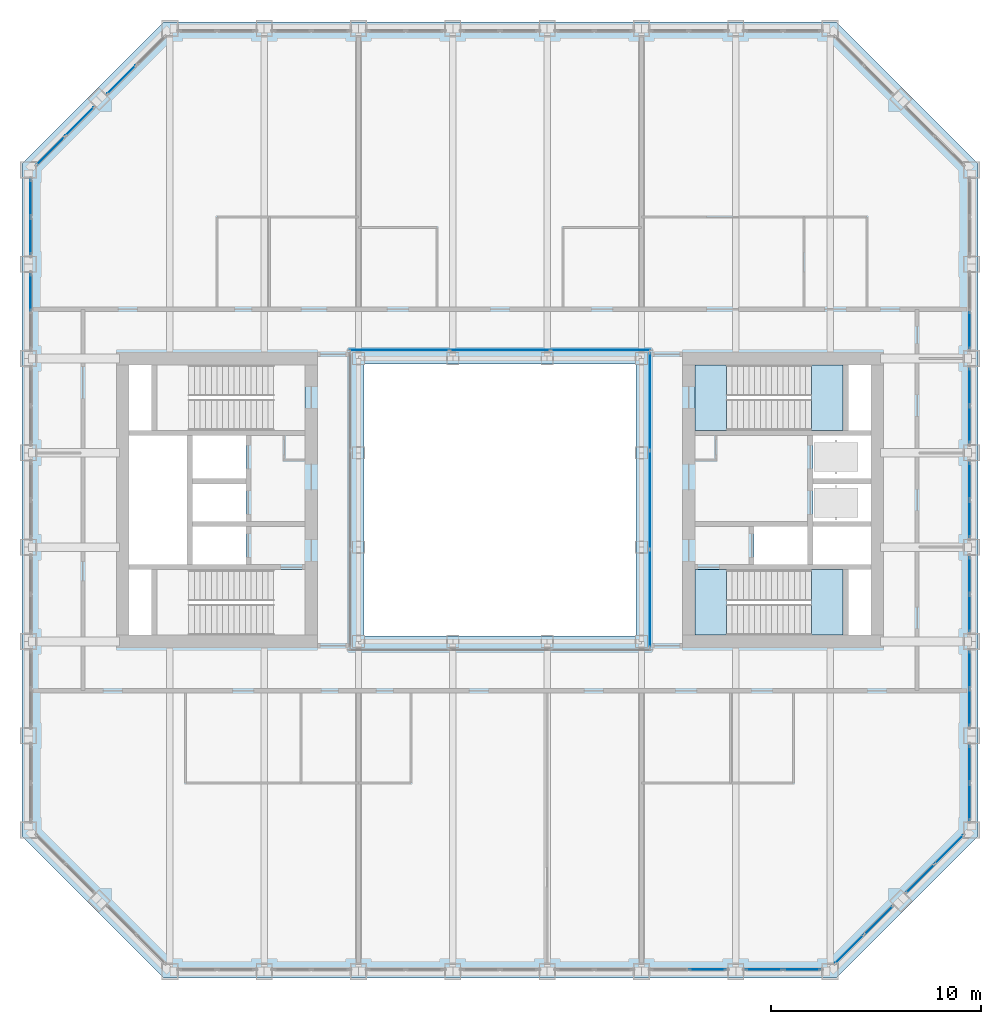
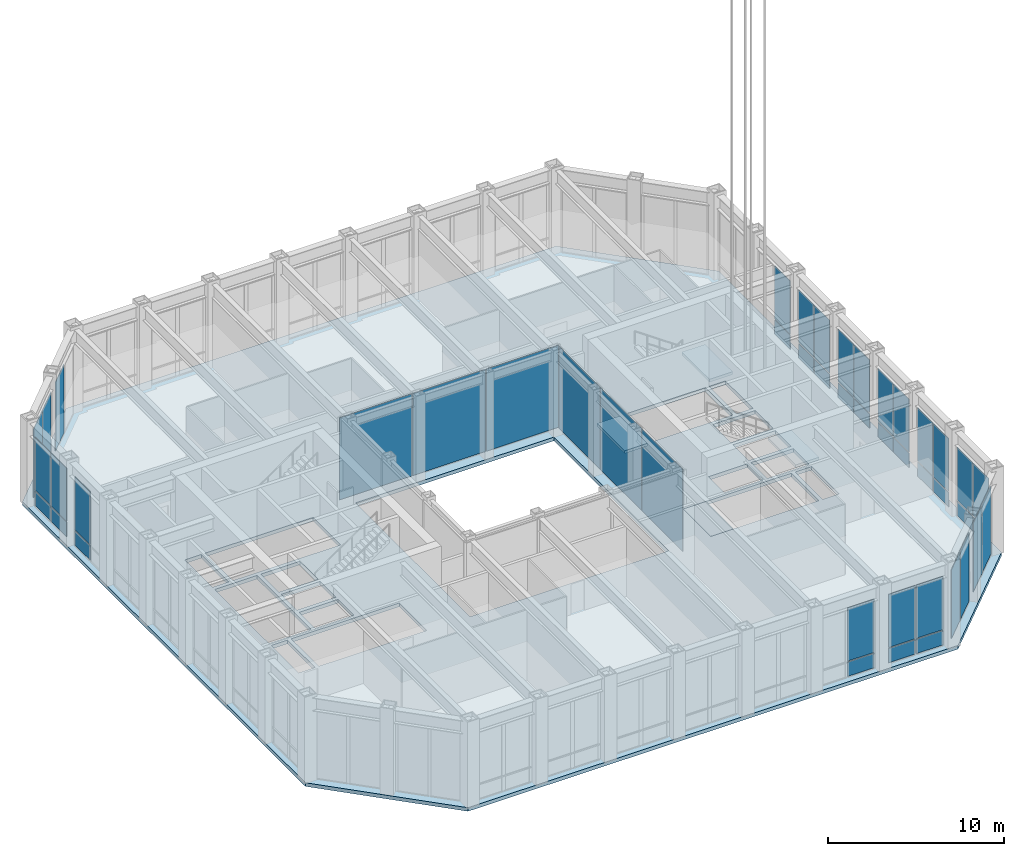
# One storey, part 11 of 22: 47 plates, 5 slabs, 18 elements without a shape of their own.
"""IFC4 building model written with IfcOpenShell, lengths in metres."""

from ifc_helpers import new_model, si_unit, direction, frame, origin, origin_2d, place, context, subcontext, project, spatial, polyline, rectangle, outline, extrude, material, layer, layer_set, type_object, element, aggregate, save


model = new_model("IFC4")

# Units and contexts
model_context = context("Model", 3, precision=1e-05, world=origin(), true_north=direction((0.0, 1.0)))
body_context = subcontext(model_context, "Body", "Model", "MODEL_VIEW")
ifc_project = project(units=[si_unit("LENGTHUNIT", "METRE"), si_unit("AREAUNIT", "SQUARE_METRE"), si_unit("VOLUMEUNIT", "CUBIC_METRE"), si_unit("PLANEANGLEUNIT", "RADIAN"), si_unit("MASSUNIT", "GRAM", prefix="KILO")], contexts=[model_context])

# Site, building, storey
site_placement = place(None, origin())
site = spatial("IfcSite", under=ifc_project, at=site_placement, CompositionType="ELEMENT")
building_placement = place(site_placement, origin())
building = spatial("IfcBuilding", under=site, at=building_placement, Name="Msasa Ring Tower", CompositionType="ELEMENT")
storey_placement = place(building_placement, frame((0.0, 0.0, 112.39990234375)))
storey = spatial("IfcBuildingStorey", under=building, at=storey_placement, Name="L29", CompositionType="ELEMENT", Elevation=112.39990234375)

# Curtain wall, plates
ifc_material_1 = material(Name="Aluminium curtain wall with clear glass", Category="aluminium")
curtain_wall_type_1 = type_object("IfcCurtainWallType", Name="CW-C CHAMFER CORNER CURTAIN WALL", PredefinedType="NOTDEFINED", material=ifc_material_1)
curtain_wall_1_placement = place(storey_placement, origin())
curtain_wall_1 = element("IfcCurtainWall", 1, at=curtain_wall_1_placement, inside=storey, type_object=curtain_wall_type_1, Name="Chamfer corner curtain wall SE L29", PredefinedType="NOTDEFINED")
ifc_material_2 = material(Name="Clear laminated insulating glass unit", Category="glass")
ifc_layer_1 = layer(ifc_material_2, 0.031982421875)
ifc_layer_set_1 = layer_set([ifc_layer_1], Name="CW-C GLASS PANEL 32")
plate_type_1 = type_object("IfcPlateType", Name="CW-C GLASS PANEL 32", PredefinedType="CURTAIN_PANEL", material=ifc_layer_set_1)
plate_1_placement = place(storey_placement, frame((16.677734375, -21.430908203125, 0.065185546875), z_axis=(0.0, 0.0, 1.0), x_axis=(0.707106781187, 0.707106781187, 0.0)))
plate_1 = element("IfcPlate", 2, at=plate_1_placement, type_object=plate_type_1, Name="CW-C panel 1.1", PredefinedType="CURTAIN_PANEL", context=body_context, shape_type="SweptSolid", body=[
    extrude(rectangle(XDim=1.884033203125, YDim=0.031982421875, at=origin_2d()), origin(), (0.0, 0.0, 1.0), 4.7490234375),
])
plate_2_placement = place(storey_placement, frame((18.055908203125, -20.052734375, 0.065185546875), z_axis=(0.0, 0.0, 1.0), x_axis=(0.707106781187, 0.707106781187, 0.0)))
plate_2 = element("IfcPlate", 3, at=plate_2_placement, type_object=plate_type_1, Name="CW-C panel 2.1", PredefinedType="CURTAIN_PANEL", context=body_context, shape_type="SweptSolid", body=[
    extrude(rectangle(XDim=1.884033203125, YDim=0.031982421875, at=origin_2d()), origin(), (0.0, 0.0, 1.0), 4.7490234375),
])
aggregate(curtain_wall_1, [plate_1, plate_2])

curtain_wall_2_placement = place(storey_placement, origin())
curtain_wall_2 = element("IfcCurtainWall", 4, at=curtain_wall_2_placement, inside=storey, type_object=curtain_wall_type_1, Name="Chamfer corner curtain wall SE L29", PredefinedType="NOTDEFINED")
plate_3_placement = place(storey_placement, frame((20.052734375, -18.055908203125, 0.065185546875), z_axis=(0.0, 0.0, 1.0), x_axis=(0.707106781187, 0.707106781187, 0.0)))
plate_3 = element("IfcPlate", 5, at=plate_3_placement, type_object=plate_type_1, Name="CW-C panel 1.1", PredefinedType="CURTAIN_PANEL", context=body_context, shape_type="SweptSolid", body=[
    extrude(rectangle(XDim=1.884033203125, YDim=0.031982421875, at=origin_2d()), origin(), (0.0, 0.0, 1.0), 4.7490234375),
])
plate_4_placement = place(storey_placement, frame((21.430908203125, -16.677734375, 0.065185546875), z_axis=(0.0, 0.0, 1.0), x_axis=(0.707106781187, 0.707106781187, 0.0)))
plate_4 = element("IfcPlate", 6, at=plate_4_placement, type_object=plate_type_1, Name="CW-C panel 2.1", PredefinedType="CURTAIN_PANEL", context=body_context, shape_type="SweptSolid", body=[
    extrude(rectangle(XDim=1.884033203125, YDim=0.031982421875, at=origin_2d()), origin(), (0.0, 0.0, 1.0), 4.7490234375),
])
aggregate(curtain_wall_2, [plate_3, plate_4])

curtain_wall_3_placement = place(storey_placement, origin())
curtain_wall_3 = element("IfcCurtainWall", 7, at=curtain_wall_3_placement, inside=storey, type_object=curtain_wall_type_1, Name="Chamfer corner curtain wall NW L29", PredefinedType="NOTDEFINED")
plate_5_placement = place(storey_placement, frame((-20.052734375, 18.055908203125, 0.065185546875), z_axis=(0.0, 0.0, 1.0), x_axis=(-0.707106781187, -0.707106781187, 0.0)))
plate_5 = element("IfcPlate", 8, at=plate_5_placement, type_object=plate_type_1, Name="CW-C panel 1.1", PredefinedType="CURTAIN_PANEL", context=body_context, shape_type="SweptSolid", body=[
    extrude(rectangle(XDim=1.884033203125, YDim=0.031982421875, at=origin_2d()), origin(), (0.0, 0.0, 1.0), 4.7490234375),
])
plate_6_placement = place(storey_placement, frame((-21.430908203125, 16.677734375, 0.065185546875), z_axis=(0.0, 0.0, 1.0), x_axis=(-0.707106781187, -0.707106781187, 0.0)))
plate_6 = element("IfcPlate", 9, at=plate_6_placement, type_object=plate_type_1, Name="CW-C panel 2.1", PredefinedType="CURTAIN_PANEL", context=body_context, shape_type="SweptSolid", body=[
    extrude(rectangle(XDim=1.884033203125, YDim=0.031982421875, at=origin_2d()), origin(), (0.0, 0.0, 1.0), 4.7490234375),
])
aggregate(curtain_wall_3, [plate_5, plate_6])

# Curtain wall, plate
curtain_wall_4_placement = place(storey_placement, origin())
curtain_wall_4 = element("IfcCurtainWall", 10, at=curtain_wall_4_placement, inside=storey, type_object=curtain_wall_type_1, Name="Chamfer corner curtain wall NW L29", PredefinedType="NOTDEFINED")
plate_7_placement = place(storey_placement, frame((-18.055908203125, 20.052734375, 0.065185546875), z_axis=(0.0, 0.0, 1.0), x_axis=(-0.707106781187, -0.707106781187, 0.0)))
plate_7 = element("IfcPlate", 11, at=plate_7_placement, type_object=plate_type_1, Name="CW-C panel 2.1", PredefinedType="CURTAIN_PANEL", context=body_context, shape_type="SweptSolid", body=[
    extrude(rectangle(XDim=1.884033203125, YDim=0.031982421875, at=origin_2d()), origin(), (0.0, 0.0, 1.0), 4.7490234375),
])
aggregate(curtain_wall_4, [plate_7])

# Curtain wall, plates
ifc_material_3 = material(Name="Aluminium curtain wall with clear glass", Category="aluminium")
curtain_wall_type_2 = type_object("IfcCurtainWallType", Name="CW-S SKY LOBBY CURTAIN WALL", PredefinedType="NOTDEFINED", material=ifc_material_3)
curtain_wall_5_placement = place(storey_placement, origin())
curtain_wall_5 = element("IfcCurtainWall", 12, at=curtain_wall_5_placement, inside=storey, type_object=curtain_wall_type_2, Name="Sky lobby curtain wall S L29", PredefinedType="NOTDEFINED")
ifc_material_4 = material(Name="Clear laminated insulating glass unit", Category="glass")
ifc_layer_2 = layer(ifc_material_4, 0.035888671875)
ifc_layer_set_2 = layer_set([ifc_layer_2], Name="CW-S GLASS PANEL 36")
plate_type_2 = type_object("IfcPlateType", Name="CW-S GLASS PANEL 36", PredefinedType="CURTAIN_PANEL", material=ifc_layer_set_2)
plate_8_placement = place(storey_placement, frame((9.90380859375, -22.39990234375, 0.0751953125), z_axis=(0.0, 0.0, 1.0), x_axis=(1.0, 0.0, 0.0)))
plate_8 = element("IfcPlate", 13, at=plate_8_placement, type_object=plate_type_2, Name="CW-S panel 2.1", PredefinedType="CURTAIN_PANEL", context=body_context, shape_type="SweptSolid", body=[
    extrude(rectangle(XDim=1.732421875, YDim=0.035888671875, at=origin_2d()), origin(), (0.0, 0.0, 1.0), 0.987548828125),
])
plate_9_placement = place(storey_placement, frame((9.90380859375, -22.39990234375, 1.1376953125), z_axis=(0.0, 0.0, 1.0), x_axis=(1.0, 0.0, 0.0)))
plate_9 = element("IfcPlate", 14, at=plate_9_placement, type_object=plate_type_2, Name="CW-S panel 2.2", PredefinedType="CURTAIN_PANEL", context=body_context, shape_type="SweptSolid", body=[
    extrude(rectangle(XDim=1.732421875, YDim=0.035888671875, at=origin_2d()), origin(), (0.0, 0.0, 1.0), 3.66650390625),
])
aggregate(curtain_wall_5, [plate_8, plate_9])

curtain_wall_6_placement = place(storey_placement, origin())
curtain_wall_6 = element("IfcCurtainWall", 15, at=curtain_wall_6_placement, inside=storey, type_object=curtain_wall_type_2, Name="Sky lobby curtain wall S L29", PredefinedType="NOTDEFINED")
plate_10_placement = place(storey_placement, frame((12.59619140625, -22.39990234375, 0.0751953125), z_axis=(0.0, 0.0, 1.0), x_axis=(1.0, 0.0, 0.0)))
plate_10 = element("IfcPlate", 16, at=plate_10_placement, type_object=plate_type_2, Name="CW-S panel 1.1", PredefinedType="CURTAIN_PANEL", context=body_context, shape_type="SweptSolid", body=[
    extrude(rectangle(XDim=1.732421875, YDim=0.035888671875, at=origin_2d()), origin(), (0.0, 0.0, 1.0), 0.987548828125),
])
plate_11_placement = place(storey_placement, frame((12.59619140625, -22.39990234375, 1.1376953125), z_axis=(0.0, 0.0, 1.0), x_axis=(1.0, 0.0, 0.0)))
plate_11 = element("IfcPlate", 17, at=plate_11_placement, type_object=plate_type_2, Name="CW-S panel 1.2", PredefinedType="CURTAIN_PANEL", context=body_context, shape_type="SweptSolid", body=[
    extrude(rectangle(XDim=1.732421875, YDim=0.035888671875, at=origin_2d()), origin(), (0.0, 0.0, 1.0), 3.66650390625),
])
plate_12_placement = place(storey_placement, frame((14.40380859375, -22.39990234375, 0.0751953125), z_axis=(0.0, 0.0, 1.0), x_axis=(1.0, 0.0, 0.0)))
plate_12 = element("IfcPlate", 18, at=plate_12_placement, type_object=plate_type_2, Name="CW-S panel 2.1", PredefinedType="CURTAIN_PANEL", context=body_context, shape_type="SweptSolid", body=[
    extrude(rectangle(XDim=1.732421875, YDim=0.035888671875, at=origin_2d()), origin(), (0.0, 0.0, 1.0), 0.987548828125),
])
plate_13_placement = place(storey_placement, frame((14.40380859375, -22.39990234375, 1.1376953125), z_axis=(0.0, 0.0, 1.0), x_axis=(1.0, 0.0, 0.0)))
plate_13 = element("IfcPlate", 19, at=plate_13_placement, type_object=plate_type_2, Name="CW-S panel 2.2", PredefinedType="CURTAIN_PANEL", context=body_context, shape_type="SweptSolid", body=[
    extrude(rectangle(XDim=1.732421875, YDim=0.035888671875, at=origin_2d()), origin(), (0.0, 0.0, 1.0), 3.66650390625),
])
aggregate(curtain_wall_6, [plate_10, plate_11, plate_12, plate_13])

curtain_wall_7_placement = place(storey_placement, origin())
curtain_wall_7 = element("IfcCurtainWall", 20, at=curtain_wall_7_placement, inside=storey, type_object=curtain_wall_type_2, Name="Sky lobby curtain wall E L29", PredefinedType="NOTDEFINED")
plate_14_placement = place(storey_placement, frame((22.39990234375, -14.40380859375, 0.0751953125), z_axis=(0.0, 0.0, 1.0), x_axis=(0.0, 1.0, 0.0)))
plate_14 = element("IfcPlate", 21, at=plate_14_placement, type_object=plate_type_2, Name="CW-S panel 1.1", PredefinedType="CURTAIN_PANEL", context=body_context, shape_type="SweptSolid", body=[
    extrude(rectangle(XDim=1.732421875, YDim=0.035888671875, at=origin_2d()), origin(), (0.0, 0.0, 1.0), 0.987548828125),
])
plate_15_placement = place(storey_placement, frame((22.39990234375, -14.40380859375, 1.1376953125), z_axis=(0.0, 0.0, 1.0), x_axis=(0.0, 1.0, 0.0)))
plate_15 = element("IfcPlate", 22, at=plate_15_placement, type_object=plate_type_2, Name="CW-S panel 1.2", PredefinedType="CURTAIN_PANEL", context=body_context, shape_type="SweptSolid", body=[
    extrude(rectangle(XDim=1.732421875, YDim=0.035888671875, at=origin_2d()), origin(), (0.0, 0.0, 1.0), 3.66650390625),
])
plate_16_placement = place(storey_placement, frame((22.39990234375, -12.59619140625, 0.0751953125), z_axis=(0.0, 0.0, 1.0), x_axis=(0.0, 1.0, 0.0)))
plate_16 = element("IfcPlate", 23, at=plate_16_placement, type_object=plate_type_2, Name="CW-S panel 2.1", PredefinedType="CURTAIN_PANEL", context=body_context, shape_type="SweptSolid", body=[
    extrude(rectangle(XDim=1.732421875, YDim=0.035888671875, at=origin_2d()), origin(), (0.0, 0.0, 1.0), 0.987548828125),
])
plate_17_placement = place(storey_placement, frame((22.39990234375, -12.59619140625, 1.1376953125), z_axis=(0.0, 0.0, 1.0), x_axis=(0.0, 1.0, 0.0)))
plate_17 = element("IfcPlate", 24, at=plate_17_placement, type_object=plate_type_2, Name="CW-S panel 2.2", PredefinedType="CURTAIN_PANEL", context=body_context, shape_type="SweptSolid", body=[
    extrude(rectangle(XDim=1.732421875, YDim=0.035888671875, at=origin_2d()), origin(), (0.0, 0.0, 1.0), 3.66650390625),
])
aggregate(curtain_wall_7, [plate_14, plate_15, plate_16, plate_17])

curtain_wall_8_placement = place(storey_placement, origin())
curtain_wall_8 = element("IfcCurtainWall", 25, at=curtain_wall_8_placement, inside=storey, type_object=curtain_wall_type_2, Name="Sky lobby curtain wall E L29", PredefinedType="NOTDEFINED")
plate_18_placement = place(storey_placement, frame((22.39990234375, -9.90380859375, 0.0751953125), z_axis=(0.0, 0.0, 1.0), x_axis=(0.0, 1.0, 0.0)))
plate_18 = element("IfcPlate", 26, at=plate_18_placement, type_object=plate_type_2, Name="CW-S panel 1.1", PredefinedType="CURTAIN_PANEL", context=body_context, shape_type="SweptSolid", body=[
    extrude(rectangle(XDim=1.732421875, YDim=0.035888671875, at=origin_2d()), origin(), (0.0, 0.0, 1.0), 0.987548828125),
])
plate_19_placement = place(storey_placement, frame((22.39990234375, -9.90380859375, 1.1376953125), z_axis=(0.0, 0.0, 1.0), x_axis=(0.0, 1.0, 0.0)))
plate_19 = element("IfcPlate", 27, at=plate_19_placement, type_object=plate_type_2, Name="CW-S panel 1.2", PredefinedType="CURTAIN_PANEL", context=body_context, shape_type="SweptSolid", body=[
    extrude(rectangle(XDim=1.732421875, YDim=0.035888671875, at=origin_2d()), origin(), (0.0, 0.0, 1.0), 3.66650390625),
])
plate_20_placement = place(storey_placement, frame((22.39990234375, -8.09619140625, 0.0751953125), z_axis=(0.0, 0.0, 1.0), x_axis=(0.0, 1.0, 0.0)))
plate_20 = element("IfcPlate", 28, at=plate_20_placement, type_object=plate_type_2, Name="CW-S panel 2.1", PredefinedType="CURTAIN_PANEL", context=body_context, shape_type="SweptSolid", body=[
    extrude(rectangle(XDim=1.732421875, YDim=0.035888671875, at=origin_2d()), origin(), (0.0, 0.0, 1.0), 0.987548828125),
])
plate_21_placement = place(storey_placement, frame((22.39990234375, -8.09619140625, 1.1376953125), z_axis=(0.0, 0.0, 1.0), x_axis=(0.0, 1.0, 0.0)))
plate_21 = element("IfcPlate", 29, at=plate_21_placement, type_object=plate_type_2, Name="CW-S panel 2.2", PredefinedType="CURTAIN_PANEL", context=body_context, shape_type="SweptSolid", body=[
    extrude(rectangle(XDim=1.732421875, YDim=0.035888671875, at=origin_2d()), origin(), (0.0, 0.0, 1.0), 3.66650390625),
])
aggregate(curtain_wall_8, [plate_18, plate_19, plate_20, plate_21])

curtain_wall_9_placement = place(storey_placement, origin())
curtain_wall_9 = element("IfcCurtainWall", 30, at=curtain_wall_9_placement, inside=storey, type_object=curtain_wall_type_2, Name="Sky lobby curtain wall E L29", PredefinedType="NOTDEFINED")
plate_22_placement = place(storey_placement, frame((22.39990234375, -5.40380859375, 0.0751953125), z_axis=(0.0, 0.0, 1.0), x_axis=(0.0, 1.0, 0.0)))
plate_22 = element("IfcPlate", 31, at=plate_22_placement, type_object=plate_type_2, Name="CW-S panel 1.1", PredefinedType="CURTAIN_PANEL", context=body_context, shape_type="SweptSolid", body=[
    extrude(rectangle(XDim=1.732421875, YDim=0.035888671875, at=origin_2d()), origin(), (0.0, 0.0, 1.0), 0.987548828125),
])
plate_23_placement = place(storey_placement, frame((22.39990234375, -5.40380859375, 1.1376953125), z_axis=(0.0, 0.0, 1.0), x_axis=(0.0, 1.0, 0.0)))
plate_23 = element("IfcPlate", 32, at=plate_23_placement, type_object=plate_type_2, Name="CW-S panel 1.2", PredefinedType="CURTAIN_PANEL", context=body_context, shape_type="SweptSolid", body=[
    extrude(rectangle(XDim=1.732421875, YDim=0.035888671875, at=origin_2d()), origin(), (0.0, 0.0, 1.0), 3.66650390625),
])
plate_24_placement = place(storey_placement, frame((22.39990234375, -3.59619140625, 0.0751953125), z_axis=(0.0, 0.0, 1.0), x_axis=(0.0, 1.0, 0.0)))
plate_24 = element("IfcPlate", 33, at=plate_24_placement, type_object=plate_type_2, Name="CW-S panel 2.1", PredefinedType="CURTAIN_PANEL", context=body_context, shape_type="SweptSolid", body=[
    extrude(rectangle(XDim=1.732421875, YDim=0.035888671875, at=origin_2d()), origin(), (0.0, 0.0, 1.0), 0.987548828125),
])
plate_25_placement = place(storey_placement, frame((22.39990234375, -3.59619140625, 1.1376953125), z_axis=(0.0, 0.0, 1.0), x_axis=(0.0, 1.0, 0.0)))
plate_25 = element("IfcPlate", 34, at=plate_25_placement, type_object=plate_type_2, Name="CW-S panel 2.2", PredefinedType="CURTAIN_PANEL", context=body_context, shape_type="SweptSolid", body=[
    extrude(rectangle(XDim=1.732421875, YDim=0.035888671875, at=origin_2d()), origin(), (0.0, 0.0, 1.0), 3.66650390625),
])
aggregate(curtain_wall_9, [plate_22, plate_23, plate_24, plate_25])

curtain_wall_10_placement = place(storey_placement, origin())
curtain_wall_10 = element("IfcCurtainWall", 35, at=curtain_wall_10_placement, inside=storey, type_object=curtain_wall_type_2, Name="Sky lobby curtain wall E L29", PredefinedType="NOTDEFINED")
plate_26_placement = place(storey_placement, frame((22.39990234375, -0.90380859375, 0.0751953125), z_axis=(0.0, 0.0, 1.0), x_axis=(0.0, 1.0, 0.0)))
plate_26 = element("IfcPlate", 36, at=plate_26_placement, type_object=plate_type_2, Name="CW-S panel 1.1", PredefinedType="CURTAIN_PANEL", context=body_context, shape_type="SweptSolid", body=[
    extrude(rectangle(XDim=1.732421875, YDim=0.035888671875, at=origin_2d()), origin(), (0.0, 0.0, 1.0), 0.987548828125),
])
plate_27_placement = place(storey_placement, frame((22.39990234375, -0.90380859375, 1.1376953125), z_axis=(0.0, 0.0, 1.0), x_axis=(0.0, 1.0, 0.0)))
plate_27 = element("IfcPlate", 37, at=plate_27_placement, type_object=plate_type_2, Name="CW-S panel 1.2", PredefinedType="CURTAIN_PANEL", context=body_context, shape_type="SweptSolid", body=[
    extrude(rectangle(XDim=1.732421875, YDim=0.035888671875, at=origin_2d()), origin(), (0.0, 0.0, 1.0), 3.66650390625),
])
plate_28_placement = place(storey_placement, frame((22.39990234375, 0.90380859375, 0.0751953125), z_axis=(0.0, 0.0, 1.0), x_axis=(0.0, 1.0, 0.0)))
plate_28 = element("IfcPlate", 38, at=plate_28_placement, type_object=plate_type_2, Name="CW-S panel 2.1", PredefinedType="CURTAIN_PANEL", context=body_context, shape_type="SweptSolid", body=[
    extrude(rectangle(XDim=1.732421875, YDim=0.035888671875, at=origin_2d()), origin(), (0.0, 0.0, 1.0), 0.987548828125),
])
plate_29_placement = place(storey_placement, frame((22.39990234375, 0.90380859375, 1.1376953125), z_axis=(0.0, 0.0, 1.0), x_axis=(0.0, 1.0, 0.0)))
plate_29 = element("IfcPlate", 39, at=plate_29_placement, type_object=plate_type_2, Name="CW-S panel 2.2", PredefinedType="CURTAIN_PANEL", context=body_context, shape_type="SweptSolid", body=[
    extrude(rectangle(XDim=1.732421875, YDim=0.035888671875, at=origin_2d()), origin(), (0.0, 0.0, 1.0), 3.66650390625),
])
aggregate(curtain_wall_10, [plate_26, plate_27, plate_28, plate_29])

curtain_wall_11_placement = place(storey_placement, origin())
curtain_wall_11 = element("IfcCurtainWall", 40, at=curtain_wall_11_placement, inside=storey, type_object=curtain_wall_type_2, Name="Sky lobby curtain wall E L29", PredefinedType="NOTDEFINED")
plate_30_placement = place(storey_placement, frame((22.39990234375, 3.59619140625, 0.0751953125), z_axis=(0.0, 0.0, 1.0), x_axis=(0.0, 1.0, 0.0)))
plate_30 = element("IfcPlate", 41, at=plate_30_placement, type_object=plate_type_2, Name="CW-S panel 1.1", PredefinedType="CURTAIN_PANEL", context=body_context, shape_type="SweptSolid", body=[
    extrude(rectangle(XDim=1.732421875, YDim=0.035888671875, at=origin_2d()), origin(), (0.0, 0.0, 1.0), 0.987548828125),
])
plate_31_placement = place(storey_placement, frame((22.39990234375, 3.59619140625, 1.1376953125), z_axis=(0.0, 0.0, 1.0), x_axis=(0.0, 1.0, 0.0)))
plate_31 = element("IfcPlate", 42, at=plate_31_placement, type_object=plate_type_2, Name="CW-S panel 1.2", PredefinedType="CURTAIN_PANEL", context=body_context, shape_type="SweptSolid", body=[
    extrude(rectangle(XDim=1.732421875, YDim=0.035888671875, at=origin_2d()), origin(), (0.0, 0.0, 1.0), 3.66650390625),
])
plate_32_placement = place(storey_placement, frame((22.39990234375, 5.40380859375, 0.0751953125), z_axis=(0.0, 0.0, 1.0), x_axis=(0.0, 1.0, 0.0)))
plate_32 = element("IfcPlate", 43, at=plate_32_placement, type_object=plate_type_2, Name="CW-S panel 2.1", PredefinedType="CURTAIN_PANEL", context=body_context, shape_type="SweptSolid", body=[
    extrude(rectangle(XDim=1.732421875, YDim=0.035888671875, at=origin_2d()), origin(), (0.0, 0.0, 1.0), 0.987548828125),
])
plate_33_placement = place(storey_placement, frame((22.39990234375, 5.40380859375, 1.1376953125), z_axis=(0.0, 0.0, 1.0), x_axis=(0.0, 1.0, 0.0)))
plate_33 = element("IfcPlate", 44, at=plate_33_placement, type_object=plate_type_2, Name="CW-S panel 2.2", PredefinedType="CURTAIN_PANEL", context=body_context, shape_type="SweptSolid", body=[
    extrude(rectangle(XDim=1.732421875, YDim=0.035888671875, at=origin_2d()), origin(), (0.0, 0.0, 1.0), 3.66650390625),
])
aggregate(curtain_wall_11, [plate_30, plate_31, plate_32, plate_33])

curtain_wall_12_placement = place(storey_placement, origin())
curtain_wall_12 = element("IfcCurtainWall", 45, at=curtain_wall_12_placement, inside=storey, type_object=curtain_wall_type_2, Name="Sky lobby curtain wall E L29", PredefinedType="NOTDEFINED")
plate_34_placement = place(storey_placement, frame((22.39990234375, 8.09619140625, 0.0751953125), z_axis=(0.0, 0.0, 1.0), x_axis=(0.0, 1.0, 0.0)))
plate_34 = element("IfcPlate", 46, at=plate_34_placement, type_object=plate_type_2, Name="CW-S panel 1.1", PredefinedType="CURTAIN_PANEL", context=body_context, shape_type="SweptSolid", body=[
    extrude(rectangle(XDim=1.732421875, YDim=0.035888671875, at=origin_2d()), origin(), (0.0, 0.0, 1.0), 0.987548828125),
])
plate_35_placement = place(storey_placement, frame((22.39990234375, 8.09619140625, 1.1376953125), z_axis=(0.0, 0.0, 1.0), x_axis=(0.0, 1.0, 0.0)))
plate_35 = element("IfcPlate", 47, at=plate_35_placement, type_object=plate_type_2, Name="CW-S panel 1.2", PredefinedType="CURTAIN_PANEL", context=body_context, shape_type="SweptSolid", body=[
    extrude(rectangle(XDim=1.732421875, YDim=0.035888671875, at=origin_2d()), origin(), (0.0, 0.0, 1.0), 3.66650390625),
])
aggregate(curtain_wall_12, [plate_34, plate_35])

curtain_wall_13_placement = place(storey_placement, origin())
curtain_wall_13 = element("IfcCurtainWall", 48, at=curtain_wall_13_placement, inside=storey, type_object=curtain_wall_type_2, Name="Sky lobby curtain wall W L29", PredefinedType="NOTDEFINED")
plate_36_placement = place(storey_placement, frame((-22.39990234375, 9.90380859375, 0.0751953125), z_axis=(0.0, 0.0, 1.0), x_axis=(0.0, 1.0, 0.0)))
plate_36 = element("IfcPlate", 49, at=plate_36_placement, type_object=plate_type_2, Name="CW-S panel 2.1", PredefinedType="CURTAIN_PANEL", context=body_context, shape_type="SweptSolid", body=[
    extrude(rectangle(XDim=1.732421875, YDim=0.035888671875, at=origin_2d()), origin(), (0.0, 0.0, 1.0), 0.987548828125),
])
plate_37_placement = place(storey_placement, frame((-22.39990234375, 9.90380859375, 1.1376953125), z_axis=(0.0, 0.0, 1.0), x_axis=(0.0, 1.0, 0.0)))
plate_37 = element("IfcPlate", 50, at=plate_37_placement, type_object=plate_type_2, Name="CW-S panel 2.2", PredefinedType="CURTAIN_PANEL", context=body_context, shape_type="SweptSolid", body=[
    extrude(rectangle(XDim=1.732421875, YDim=0.035888671875, at=origin_2d()), origin(), (0.0, 0.0, 1.0), 3.66650390625),
])
aggregate(curtain_wall_13, [plate_36, plate_37])

curtain_wall_14_placement = place(storey_placement, origin())
curtain_wall_14 = element("IfcCurtainWall", 51, at=curtain_wall_14_placement, inside=storey, type_object=curtain_wall_type_2, Name="Sky lobby curtain wall W L29", PredefinedType="NOTDEFINED")
plate_38_placement = place(storey_placement, frame((-22.39990234375, 12.59619140625, 0.0751953125), z_axis=(0.0, 0.0, 1.0), x_axis=(0.0, 1.0, 0.0)))
plate_38 = element("IfcPlate", 52, at=plate_38_placement, type_object=plate_type_2, Name="CW-S panel 1.1", PredefinedType="CURTAIN_PANEL", context=body_context, shape_type="SweptSolid", body=[
    extrude(rectangle(XDim=1.732421875, YDim=0.035888671875, at=origin_2d()), origin(), (0.0, 0.0, 1.0), 0.987548828125),
])
plate_39_placement = place(storey_placement, frame((-22.39990234375, 12.59619140625, 1.1376953125), z_axis=(0.0, 0.0, 1.0), x_axis=(0.0, 1.0, 0.0)))
plate_39 = element("IfcPlate", 53, at=plate_39_placement, type_object=plate_type_2, Name="CW-S panel 1.2", PredefinedType="CURTAIN_PANEL", context=body_context, shape_type="SweptSolid", body=[
    extrude(rectangle(XDim=1.732421875, YDim=0.035888671875, at=origin_2d()), origin(), (0.0, 0.0, 1.0), 3.66650390625),
])
plate_40_placement = place(storey_placement, frame((-22.39990234375, 14.40380859375, 0.0751953125), z_axis=(0.0, 0.0, 1.0), x_axis=(0.0, 1.0, 0.0)))
plate_40 = element("IfcPlate", 54, at=plate_40_placement, type_object=plate_type_2, Name="CW-S panel 2.1", PredefinedType="CURTAIN_PANEL", context=body_context, shape_type="SweptSolid", body=[
    extrude(rectangle(XDim=1.732421875, YDim=0.035888671875, at=origin_2d()), origin(), (0.0, 0.0, 1.0), 0.987548828125),
])
plate_41_placement = place(storey_placement, frame((-22.39990234375, 14.40380859375, 1.1376953125), z_axis=(0.0, 0.0, 1.0), x_axis=(0.0, 1.0, 0.0)))
plate_41 = element("IfcPlate", 55, at=plate_41_placement, type_object=plate_type_2, Name="CW-S panel 2.2", PredefinedType="CURTAIN_PANEL", context=body_context, shape_type="SweptSolid", body=[
    extrude(rectangle(XDim=1.732421875, YDim=0.035888671875, at=origin_2d()), origin(), (0.0, 0.0, 1.0), 3.66650390625),
])
aggregate(curtain_wall_14, [plate_38, plate_39, plate_40, plate_41])

ifc_material_5 = material(Name="Aluminium curtain wall with clear glass", Category="aluminium")
curtain_wall_type_3 = type_object("IfcCurtainWallType", Name="CW-W LIGHT WELL CURTAIN WALL", PredefinedType="NOTDEFINED", material=ifc_material_5)
curtain_wall_15_placement = place(storey_placement, origin())
curtain_wall_15 = element("IfcCurtainWall", 56, at=curtain_wall_15_placement, inside=storey, type_object=curtain_wall_type_3, Name="Light well curtain wall N L29", PredefinedType="NOTDEFINED")
ifc_material_6 = material(Name="Clear laminated insulating glass unit", Category="glass")
ifc_layer_3 = layer(ifc_material_6, 0.028076171875)
ifc_layer_set_3 = layer_set([ifc_layer_3], Name="CW-W GLASS PANEL 28")
plate_type_3 = type_object("IfcPlateType", Name="CW-W GLASS PANEL 28", PredefinedType="CURTAIN_PANEL", material=ifc_layer_set_3)
plate_42_placement = place(storey_placement, frame((-4.804931640625, 7.14990234375, 0.06005859375), z_axis=(0.0, 0.0, 1.0), x_axis=(1.0, 0.0, 0.0)))
plate_42 = element("IfcPlate", 57, at=plate_42_placement, type_object=plate_type_3, Name="CW-W panel 1.1", PredefinedType="CURTAIN_PANEL", context=body_context, shape_type="SweptSolid", body=[
    extrude(rectangle(XDim=4.72998046875, YDim=0.028076171875, at=origin_2d()), origin(), (0.0, 0.0, 1.0), 5.679931640625),
])
plate_43_placement = place(storey_placement, frame((0.0, 7.14990234375, 0.06005859375), z_axis=(0.0, 0.0, 1.0), x_axis=(1.0, 0.0, 0.0)))
plate_43 = element("IfcPlate", 58, at=plate_43_placement, type_object=plate_type_3, Name="CW-W panel 2.1", PredefinedType="CURTAIN_PANEL", context=body_context, shape_type="SweptSolid", body=[
    extrude(rectangle(XDim=4.760009765625, YDim=0.028076171875, at=origin_2d()), origin(), (0.0, 0.0, 1.0), 5.679931640625),
])
plate_44_placement = place(storey_placement, frame((4.804931640625, 7.14990234375, 0.06005859375), z_axis=(0.0, 0.0, 1.0), x_axis=(1.0, 0.0, 0.0)))
plate_44 = element("IfcPlate", 59, at=plate_44_placement, type_object=plate_type_3, Name="CW-W panel 3.1", PredefinedType="CURTAIN_PANEL", context=body_context, shape_type="SweptSolid", body=[
    extrude(rectangle(XDim=4.72998046875, YDim=0.028076171875, at=origin_2d()), origin(), (0.0, 0.0, 1.0), 5.679931640625),
])
aggregate(curtain_wall_15, [plate_42, plate_43, plate_44])

curtain_wall_16_placement = place(storey_placement, origin())
curtain_wall_16 = element("IfcCurtainWall", 60, at=curtain_wall_16_placement, inside=storey, type_object=curtain_wall_type_3, Name="Light well curtain wall E L29", PredefinedType="NOTDEFINED")
plate_45_placement = place(storey_placement, frame((7.14990234375, -4.6982421875, 0.06005859375), z_axis=(0.0, 0.0, 1.0), x_axis=(0.0, 1.0, 0.0)))
plate_45 = element("IfcPlate", 61, at=plate_45_placement, type_object=plate_type_3, Name="CW-W panel 1.1", PredefinedType="CURTAIN_PANEL", context=body_context, shape_type="SweptSolid", body=[
    extrude(rectangle(XDim=4.623291015625, YDim=0.028076171875, at=origin_2d()), origin(), (0.0, 0.0, 1.0), 5.679931640625),
])
plate_46_placement = place(storey_placement, frame((7.14990234375, 0.0, 0.06005859375), z_axis=(0.0, 0.0, 1.0), x_axis=(0.0, 1.0, 0.0)))
plate_46 = element("IfcPlate", 62, at=plate_46_placement, type_object=plate_type_3, Name="CW-W panel 2.1", PredefinedType="CURTAIN_PANEL", context=body_context, shape_type="SweptSolid", body=[
    extrude(rectangle(XDim=4.6533203125, YDim=0.028076171875, at=origin_2d()), origin(), (0.0, 0.0, 1.0), 5.679931640625),
])
plate_47_placement = place(storey_placement, frame((7.14990234375, 4.6982421875, 0.06005859375), z_axis=(0.0, 0.0, 1.0), x_axis=(0.0, 1.0, 0.0)))
plate_47 = element("IfcPlate", 63, at=plate_47_placement, type_object=plate_type_3, Name="CW-W panel 3.1", PredefinedType="CURTAIN_PANEL", context=body_context, shape_type="SweptSolid", body=[
    extrude(rectangle(XDim=4.623291015625, YDim=0.028076171875, at=origin_2d()), origin(), (0.0, 0.0, 1.0), 5.679931640625),
])
aggregate(curtain_wall_16, [plate_45, plate_46, plate_47])

# Stair, slabs
ifc_material_7 = material(Name="Concrete C40/50", Category="concrete")
stair_type = type_object("IfcStairType", Name="STC CORE STAIR 32 RISERS 187.5", PredefinedType="HALF_TURN_STAIR", material=ifc_material_7)
stair_1_placement = place(storey_placement, origin())
stair_1 = element("IfcStair", 64, at=stair_1_placement, inside=storey, type_object=stair_type, Name="Core stair SEA L29", PredefinedType="HALF_TURN_STAIR")
ifc_material_8 = material(Name="Concrete C40/50", Category="concrete")
ifc_layer_4 = layer(ifc_material_8, 0.199951171875)
ifc_layer_set_4 = layer_set([ifc_layer_4], Name="LD1 CORE STAIR LANDING 200")
slab_type_1 = type_object("IfcSlabType", Name="LD1 CORE STAIR LANDING 200", PredefinedType="LANDING", material=ifc_layer_set_4)
slab_1_placement = place(storey_placement, frame((0.0, 0.0, -0.199951171875)))
slab_1 = element("IfcSlab", 65, at=slab_1_placement, type_object=slab_type_1, Name="SEA landing 1", PredefinedType="LANDING", context=body_context, shape_type="SweptSolid", body=[
    extrude(outline(polyline([(9.300048828125, -6.449951171875), (10.800048828125, -6.449951171875), (10.800048828125, -3.324951171875), (9.300048828125, -3.324951171875), (9.300048828125, -6.449951171875)])), origin(), (0.0, 0.0, 1.0), 0.199951171875),
])
slab_2_placement = place(storey_placement, frame((0.0, 0.0, 2.800048828125)))
slab_2 = element("IfcSlab", 66, at=slab_2_placement, type_object=slab_type_1, Name="SEA landing 2", PredefinedType="LANDING", context=body_context, shape_type="SweptSolid", body=[
    extrude(outline(polyline([(14.85009765625, -6.449951171875), (16.375, -6.449951171875), (16.375, -3.324951171875), (14.85009765625, -3.324951171875), (14.85009765625, -6.449951171875)])), origin(), (0.0, 0.0, 1.0), 0.199951171875),
])
aggregate(stair_1, [slab_1, slab_2])

stair_2_placement = place(storey_placement, origin())
stair_2 = element("IfcStair", 67, at=stair_2_placement, inside=storey, type_object=stair_type, Name="Core stair SEB L29", PredefinedType="HALF_TURN_STAIR")
slab_3_placement = place(storey_placement, frame((0.0, 0.0, -0.199951171875)))
slab_3 = element("IfcSlab", 68, at=slab_3_placement, type_object=slab_type_1, Name="SEB landing 1", PredefinedType="LANDING", context=body_context, shape_type="SweptSolid", body=[
    extrude(outline(polyline([(9.300048828125, 3.324951171875), (10.800048828125, 3.324951171875), (10.800048828125, 6.449951171875), (9.300048828125, 6.449951171875), (9.300048828125, 3.324951171875)])), origin(), (0.0, 0.0, 1.0), 0.199951171875),
])
slab_4_placement = place(storey_placement, frame((0.0, 0.0, 2.800048828125)))
slab_4 = element("IfcSlab", 69, at=slab_4_placement, type_object=slab_type_1, Name="SEB landing 2", PredefinedType="LANDING", context=body_context, shape_type="SweptSolid", body=[
    extrude(outline(polyline([(14.85009765625, 3.324951171875), (16.375, 3.324951171875), (16.375, 6.449951171875), (14.85009765625, 6.449951171875), (14.85009765625, 3.324951171875)])), origin(), (0.0, 0.0, 1.0), 0.199951171875),
])
aggregate(stair_2, [slab_3, slab_4])

# Slab
ifc_material_9 = material(Name="Concrete C40/50", Category="concrete")
ifc_layer_5 = layer(ifc_material_9, 0.25)
ifc_layer_set_5 = layer_set([ifc_layer_5], Name="S4 SKY LOBBY FLOOR 250")
slab_type_2 = type_object("IfcSlabType", Name="S4 SKY LOBBY FLOOR 250", PredefinedType="FLOOR", material=ifc_layer_set_5)
slab_5_placement = place(storey_placement, frame((0.0, 0.0, -0.25)))
element("IfcSlab", 70, at=slab_5_placement, inside=storey, type_object=slab_type_2, Name="Floor slab L29", PredefinedType="FLOOR", context=body_context, shape_type="SweptSolid", body=[
    extrude(outline(polyline([(-16.050048828125, -22.800048828125), (16.050048828125, -22.800048828125), (22.800048828125, -16.050048828125), (22.800048828125, 16.050048828125), (16.050048828125, 22.800048828125), (-16.050048828125, 22.800048828125), (-22.800048828125, 16.050048828125), (-22.800048828125, -16.050048828125), (-16.050048828125, -22.800048828125)]), holes=[polyline([(-6.5, -6.5), (6.5, -6.5), (6.5, 6.5), (-6.5, 6.5), (-6.5, -6.5)]), polyline([(9.300048828125, -6.449951171875), (16.375, -6.449951171875), (16.375, -3.324951171875), (9.300048828125, -3.324951171875), (9.300048828125, -6.449951171875)]), polyline([(9.300048828125, 3.324951171875), (16.375, 3.324951171875), (16.375, 6.449951171875), (9.300048828125, 6.449951171875), (9.300048828125, 3.324951171875)]), polyline([(12.125, -3.074951171875), (14.675048828125, -3.074951171875), (14.675048828125, -1.27490234375), (12.125, -1.27490234375), (12.125, -3.074951171875)]), polyline([(16.625, -6.449951171875), (17.699951171875, -6.449951171875), (17.699951171875, -3.324951171875), (16.625, -3.324951171875), (16.625, -6.449951171875)]), polyline([(16.625, 3.324951171875), (17.699951171875, 3.324951171875), (17.699951171875, 6.449951171875), (16.625, 6.449951171875), (16.625, 3.324951171875)]), polyline([(14.925048828125, -3.074951171875), (17.699951171875, -3.074951171875), (17.699951171875, -1.27490234375), (14.925048828125, -1.27490234375), (14.925048828125, -3.074951171875)]), polyline([(14.925048828125, -1.02490234375), (17.699951171875, -1.02490234375), (17.699951171875, 0.77490234375), (14.925048828125, 0.77490234375), (14.925048828125, -1.02490234375)]), polyline([(14.925048828125, 1.02490234375), (17.699951171875, 1.02490234375), (17.699951171875, 3.074951171875), (14.925048828125, 3.074951171875), (14.925048828125, 1.02490234375)]), polyline([(-16.375, -6.449951171875), (-9.300048828125, -6.449951171875), (-9.300048828125, -3.324951171875), (-16.375, -3.324951171875), (-16.375, -6.449951171875)]), polyline([(-16.375, 3.324951171875), (-9.300048828125, 3.324951171875), (-9.300048828125, 6.449951171875), (-16.375, 6.449951171875), (-16.375, 3.324951171875)]), polyline([(-14.675048828125, -3.074951171875), (-12.125, -3.074951171875), (-12.125, -1.27490234375), (-14.675048828125, -1.27490234375), (-14.675048828125, -3.074951171875)]), polyline([(-14.675048828125, -1.02490234375), (-12.125, -1.02490234375), (-12.125, 0.77490234375), (-14.675048828125, 0.77490234375), (-14.675048828125, -1.02490234375)]), polyline([(-14.675048828125, 1.02490234375), (-12.125, 1.02490234375), (-12.125, 3.074951171875), (-14.675048828125, 3.074951171875), (-14.675048828125, 1.02490234375)]), polyline([(-17.699951171875, -6.449951171875), (-16.625, -6.449951171875), (-16.625, -3.324951171875), (-17.699951171875, -3.324951171875), (-17.699951171875, -6.449951171875)]), polyline([(-17.699951171875, 3.324951171875), (-16.625, 3.324951171875), (-16.625, 6.449951171875), (-17.699951171875, 6.449951171875), (-17.699951171875, 3.324951171875)]), polyline([(-17.699951171875, -3.074951171875), (-14.925048828125, -3.074951171875), (-14.925048828125, 3.074951171875), (-17.699951171875, 3.074951171875), (-17.699951171875, -3.074951171875)])]), origin(), (0.0, 0.0, 1.0), 0.25),
])

save(model, "model.ifc")
